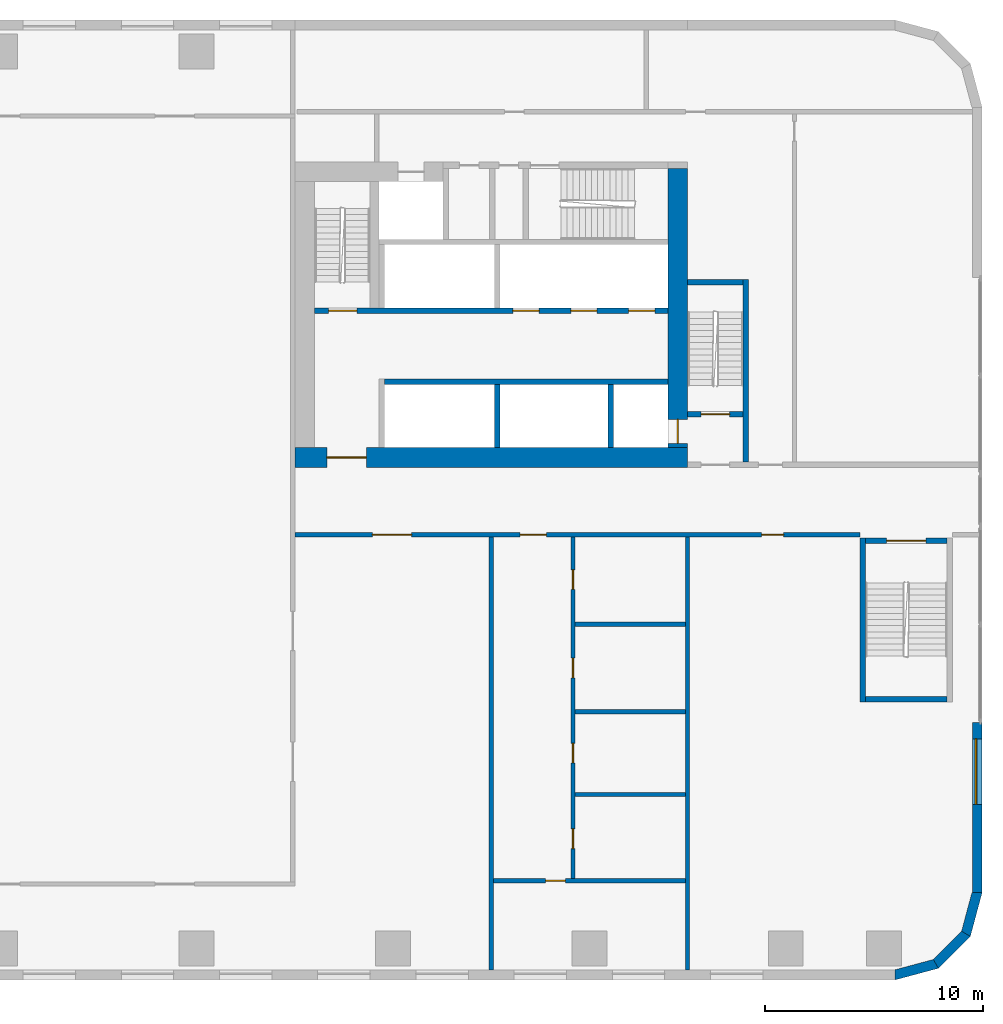
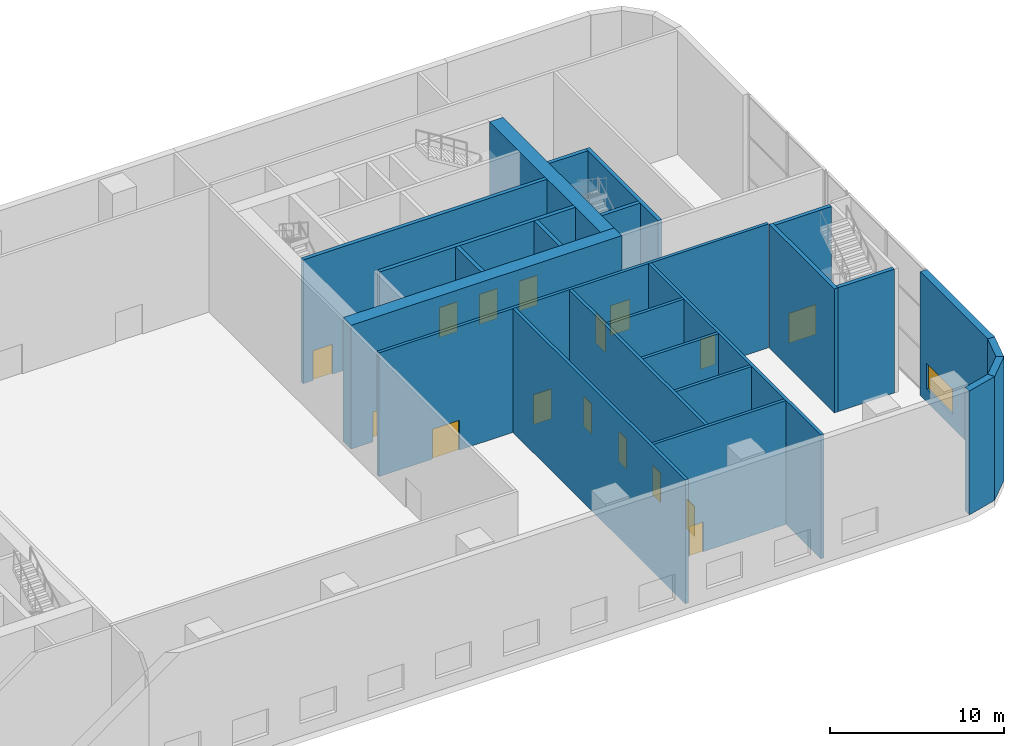
# One storey, part 10 of 24: 24 walls, 16 doors, 1 window, 17 openings.
"""IFC4 building model written with IfcOpenShell, lengths in metres."""

import ifcopenshell
import ifcopenshell.guid

model = None  # the IFC model being written
_history = None  # IfcOwnerHistory: only IFC2X3 demands one
_inside = {}  # id of a spatial element -> (the spatial element, [elements in it])
_under = {}  # id of a project, library or spatial element -> (it, [spatial elements below it])
_declared = {}  # id of a project -> (the project, [libraries it declares])
_typed = {}  # id of a type object -> (the type object, [elements of that type])
_made_of = {}  # id of a material, layer set ... -> (it, [elements and type objects made of it])


def new_model(schema):
    """Start an empty IFC model of exactly this schema.

    Asked for "IFC4X3", IfcOpenShell would pick the latest addendum, in which some entities
    have other attributes; the version numbers below select the first issue.
    IFC2X3 requires an IfcOwnerHistory on every rooted entity: one is made here for all.
    """
    global model, _history
    if schema == "IFC4X3":
        model = ifcopenshell.file(schema_version=(4, 3, 0, 0))
    else:
        model = ifcopenshell.file(schema=schema)
    _inside.clear()
    _under.clear()
    _declared.clear()
    _typed.clear()
    _made_of.clear()
    _history = None
    if model.schema == "IFC2X3":
        org = make("IfcOrganization", Name="unknown")
        user = make(
            "IfcPersonAndOrganization",
            ThePerson=make("IfcPerson", FamilyName="unknown"),
            TheOrganization=org,
        )
        app = make(
            "IfcApplication",
            ApplicationDeveloper=org,
            Version="unknown",
            ApplicationFullName="unknown",
            ApplicationIdentifier="unknown",
        )
        _history = make(
            "IfcOwnerHistory",
            OwningUser=user,
            OwningApplication=app,
            ChangeAction="ADDED",
            CreationDate=0,
        )
    return model


def make(cls, **values):
    """One entity of the class cls with the attributes given. An attribute that is None is left unset."""
    return model.create_entity(
        cls, **{name: value for name, value in values.items() if value is not None}
    )


def rooted(cls, **values):
    """An entity with a GlobalId (a new one), such as an element, a storey or a relation."""
    return make(cls, GlobalId=ifcopenshell.guid.new(), OwnerHistory=_history, **values)


def si_unit(unit_type, name, prefix=None):
    """IfcSIUnit, for example si_unit("LENGTHUNIT", "METRE", prefix="MILLI")."""
    return make("IfcSIUnit", UnitType=unit_type, Prefix=prefix, Name=name)


def assignment(units):
    """IfcUnitAssignment: the units of a project."""
    return None if units is None else make("IfcUnitAssignment", Units=units)


def point(xyz):
    """IfcCartesianPoint."""
    return None if xyz is None else make("IfcCartesianPoint", Coordinates=xyz)


def direction(xyz):
    """IfcDirection."""
    return None if xyz is None else make("IfcDirection", DirectionRatios=xyz)


def frame(location, z_axis=None, x_axis=None):
    """IfcAxis2Placement3D, a coordinate frame: its origin and axes. An axis left out is left unset."""
    return make(
        "IfcAxis2Placement3D",
        Location=point(location),
        Axis=direction(z_axis),
        RefDirection=direction(x_axis),
    )


def frame_2d(location, x_axis=None):
    """IfcAxis2Placement2D, a coordinate frame in the plane: its origin and x axis."""
    return make(
        "IfcAxis2Placement2D", Location=point(location), RefDirection=direction(x_axis)
    )


def origin():
    """The frame at (0, 0, 0) with its axes left unset."""
    return frame((0.0, 0.0, 0.0))


def place(relative_to, where):
    """IfcLocalPlacement: puts the frame where relative to a parent placement (None: the world)."""
    return make(
        "IfcLocalPlacement", PlacementRelTo=relative_to, RelativePlacement=where
    )


def context(
    kind, dimensions, precision=None, world=None, true_north=None, identifier=None
):
    """IfcGeometricRepresentationContext, for example the 3D "Model" context."""
    return make(
        "IfcGeometricRepresentationContext",
        ContextIdentifier=identifier,
        ContextType=kind,
        CoordinateSpaceDimension=dimensions,
        Precision=precision,
        WorldCoordinateSystem=world,
        TrueNorth=true_north,
    )


def subcontext(parent, identifier, kind, view, scale=None):
    """IfcGeometricRepresentationSubContext, for example "Body" below "Model"."""
    return make(
        "IfcGeometricRepresentationSubContext",
        ContextIdentifier=identifier,
        ContextType=kind,
        ParentContext=parent,
        TargetScale=scale,
        TargetView=view,
    )


def project(units=None, contexts=None):
    """IfcProject with its units and contexts."""
    return rooted(
        "IfcProject",
        Name="project",
        RepresentationContexts=contexts,
        UnitsInContext=assignment(units),
    )


def spatial(cls, under=None, at=None, **own):
    """A site, building, storey or space (cls), placed at a placement, below another one or the project."""
    s = rooted(cls, ObjectPlacement=at, **own)
    if under is not None:
        _under.setdefault(under.id(), (under, []))[1].append(s)
    return s


def polyline(points):
    """IfcPolyline through the points."""
    return make("IfcPolyline", Points=[point(p) for p in points])


def profile(cls, at=None, kind="AREA", **sizes):
    """A parametric profile (cls). Its sizes go by their IFC names, for example OverallWidth=200.0."""
    return make(cls, ProfileType=kind, Position=at, **sizes)


def rectangle(**sizes):
    """IfcRectangleProfileDef."""
    return profile("IfcRectangleProfileDef", **sizes)


def outline(outer, holes=None, kind="AREA"):
    """IfcArbitraryClosedProfileDef: a profile drawn as a closed curve; with holes, ...WithVoids."""
    if holes is None:
        return make("IfcArbitraryClosedProfileDef", ProfileType=kind, OuterCurve=outer)
    return make(
        "IfcArbitraryProfileDefWithVoids",
        ProfileType=kind,
        OuterCurve=outer,
        InnerCurves=holes,
    )


def extrude(swept, where, along, depth):
    """IfcExtrudedAreaSolid: the profile swept, set in the frame where, extruded along a direction by depth."""
    return make(
        "IfcExtrudedAreaSolid",
        SweptArea=swept,
        Position=where,
        ExtrudedDirection=direction(along),
        Depth=depth,
    )


def shape(context_of_items, identifier, shape_type, items):
    """IfcShapeRepresentation: the items that make up one representation, for example the "Body"."""
    return make(
        "IfcShapeRepresentation",
        ContextOfItems=context_of_items,
        RepresentationIdentifier=identifier,
        RepresentationType=shape_type,
        Items=items,
    )


def material(Name=None, Category=None):
    """IfcMaterial."""
    return make("IfcMaterial", Name=Name, Category=Category)


def layer(
    of_material, thickness, ventilated=None, Name=None, Category=None, Priority=None
):
    """IfcMaterialLayer: one layer of a wall or slab, of a material (None: an air gap)."""
    return make(
        "IfcMaterialLayer",
        Material=of_material,
        LayerThickness=thickness,
        IsVentilated=ventilated,
        Name=Name,
        Category=Category,
        Priority=Priority,
    )


def layer_set(layers, Name=None):
    """IfcMaterialLayerSet."""
    return make("IfcMaterialLayerSet", MaterialLayers=layers, LayerSetName=Name)


def made_of(thing, what):
    """Note that an element or type object is made of a material, layer set ...; save() writes the relation."""
    if what is not None:
        _made_of.setdefault(what.id(), (what, []))[1].append(thing)
    return thing


def type_object(cls, material=None, **own):
    """A type object (cls), such as IfcWallType, which elements share."""
    return made_of(rooted(cls, **own), material)


def element(
    cls,
    number,
    at=None,
    inside=None,
    cuts=None,
    type_object=None,
    material=None,
    context=None,
    identifier="Body",
    shape_type=None,
    held_by="IfcProductDefinitionShape",
    body=None,
    shapes=None,
    **own,
):
    """One element of the class cls, such as IfcWall. Its Tag is "e" and its number.

    at: its placement. inside: the storey or other place that contains it. cuts: it is an
    opening in that element (IfcRelVoidsElement). A single representation is given by context,
    identifier, shape_type and body (its items); several are given by shapes. held_by: the class
    of the entity that holds the representations. save() writes the other relations.
    """
    e = rooted(cls, Tag="e%d" % number, ObjectPlacement=at, **own)
    if body is not None:
        shapes = [shape(context, identifier, shape_type, body)]
    if shapes is not None:
        e.Representation = make(held_by, Representations=shapes)
    if inside is not None:
        _inside.setdefault(inside.id(), (inside, []))[1].append(e)
    if cuts is not None:
        rooted(
            "IfcRelVoidsElement", RelatingBuildingElement=cuts, RelatedOpeningElement=e
        )
    if type_object is not None:
        _typed.setdefault(type_object.id(), (type_object, []))[1].append(e)
    return made_of(e, material)


def fill(opening, filler):
    """IfcRelFillsElement: the door or window that sits in an opening."""
    return rooted(
        "IfcRelFillsElement",
        RelatingOpeningElement=opening,
        RelatedBuildingElement=filler,
    )


def aggregate(whole, parts):
    """IfcRelAggregates: a whole, such as a stair, and the parts it consists of."""
    return rooted("IfcRelAggregates", RelatingObject=whole, RelatedObjects=parts)


def save(model, path):
    """Write the relations noted so far, then the file.

    IfcRelAggregates (storeys below a building ...), IfcRelContainedInSpatialStructure (elements
    in a storey), IfcRelDefinesByType, IfcRelAssociatesMaterial and IfcRelDeclares: one each for
    every whole, place, type object, material and project.
    """
    for whole, parts in _under.values():
        aggregate(whole, parts)
    for where, things in _inside.values():
        rooted(
            "IfcRelContainedInSpatialStructure",
            RelatedElements=things,
            RelatingStructure=where,
        )
    for kind, things in _typed.values():
        rooted("IfcRelDefinesByType", RelatedObjects=things, RelatingType=kind)
    for what, things in _made_of.values():
        rooted("IfcRelAssociatesMaterial", RelatedObjects=things, RelatingMaterial=what)
    for by, libraries in _declared.values():
        rooted("IfcRelDeclares", RelatingContext=by, RelatedDefinitions=libraries)
    model.write(path)


model = new_model("IFC4")

# Units and contexts
model_context = context("Model", 3, precision=1e-05, world=origin(), true_north=direction((0.0, 1.0)))
body_context = subcontext(model_context, "Body", "Model", "MODEL_VIEW")
ifc_project = project(units=[si_unit("LENGTHUNIT", "METRE"), si_unit("AREAUNIT", "SQUARE_METRE"), si_unit("VOLUMEUNIT", "CUBIC_METRE"), si_unit("PLANEANGLEUNIT", "RADIAN"), si_unit("MASSUNIT", "GRAM", prefix="KILO")], contexts=[model_context])

# Site, building, storey
site_placement = place(None, origin())
site = spatial("IfcSite", under=ifc_project, at=site_placement, CompositionType="ELEMENT")
building_placement = place(site_placement, origin())
building = spatial("IfcBuilding", under=site, at=building_placement, Name="Kajstack Hotel Tower", CompositionType="ELEMENT")
storey_placement = place(building_placement, frame((0.0, 0.0, 38.0)))
storey = spatial("IfcBuildingStorey", under=building, at=storey_placement, Name="L06", CompositionType="ELEMENT", Elevation=38.0)

# Wall, opening, door
ifc_material_1 = material(Name="Concrete C60/75", Category="concrete")
ifc_layer_1 = layer(ifc_material_1, 0.89990234375)
ifc_layer_set_1 = layer_set([ifc_layer_1], Name="Core wall 900")
wall_type_1 = type_object("IfcWallType", Name="Core wall 900", PredefinedType="SHEAR", material=ifc_layer_set_1)
wall_1_placement = place(storey_placement, frame((13.5, 1.949951171875, 0.0), z_axis=(0.0, 0.0, 1.0), x_axis=(1.0, 0.0, 0.0)))
wall_1 = element("IfcWall", 1, at=wall_1_placement, inside=storey, type_object=wall_type_1, Name="Core wall E RN", PredefinedType="SHEAR", context=body_context, shape_type="SweptSolid", body=[
    extrude(rectangle(XDim=18.0, YDim=0.89990234375, at=frame_2d((9.0, 0.0))), origin(), (0.0, 0.0, 1.0), 8.699951171875),
])
opening_1_placement = place(wall_1_placement, frame((1.47509765625, 0.0, 0.0)))
opening_1 = element("IfcOpeningElement", 2, at=opening_1_placement, cuts=wall_1, Name="Opening 06E06", PredefinedType="OPENING", context=body_context, shape_type="SweptSolid", body=[
    extrude(rectangle(XDim=1.800048828125, YDim=2.10009765625, at=frame_2d((0.89990234375, 1.050048828125))), frame((0.0, 0.4599609375, 0.0), z_axis=(0.0, -1.0, 0.0), x_axis=(1.0, 0.0, 0.0)), (0.0, 0.0, 1.0), 0.919921875),
])
ifc_material_2 = material(Name="Glazed steel frame, fire-rated glass", Category="steel")
door_type_1 = type_object("IfcDoorType", Name="Lobby double door 1800", OperationType="DOUBLE_DOOR_DOUBLE_SWING", PredefinedType="DOOR", material=ifc_material_2)
door_1_placement = place(opening_1_placement, origin())
door_1 = element("IfcDoor", 3, at=door_1_placement, inside=storey, type_object=door_type_1, Name="Door 06E06", OperationType="DOUBLE_DOOR_DOUBLE_SWING", OverallHeight=2.10009765625, OverallWidth=1.800048828125, PredefinedType="DOOR", context=body_context, shape_type="SweptSolid", body=[
    extrude(rectangle(XDim=1.800048828125, YDim=2.10009765625, at=frame_2d((0.89990234375, 1.050048828125))), frame((0.0, 0.02490234375, 0.0), z_axis=(0.0, -1.0, 0.0), x_axis=(1.0, 0.0, 0.0)), (0.0, 0.0, 1.0), 0.050048828125),
])
fill(opening_1, door_1)

wall_2_placement = place(storey_placement, frame((31.050048828125, 2.39990234375, 0.0), z_axis=(0.0, 0.0, 1.0), x_axis=(0.0, 1.0, 0.0)))
wall_2 = element("IfcWall", 4, at=wall_2_placement, inside=storey, type_object=wall_type_1, Name="Core wall E RW", PredefinedType="SHEAR", context=body_context, shape_type="SweptSolid", body=[
    extrude(rectangle(XDim=12.800048828125, YDim=0.89990234375, at=frame_2d((6.39990234375, 0.0))), origin(), (0.0, 0.0, 1.0), 8.699951171875),
])
opening_2_placement = place(wall_2_placement, frame((0.199951171875, 0.0, 0.0)))
opening_2 = element("IfcOpeningElement", 5, at=opening_2_placement, cuts=wall_2, Name="Opening LD-FF2", PredefinedType="OPENING", context=body_context, shape_type="SweptSolid", body=[
    extrude(rectangle(XDim=1.10009765625, YDim=2.10009765625, at=frame_2d((0.550048828125, 1.050048828125))), frame((0.0, 0.4599609375, 0.0), z_axis=(0.0, -1.0, 0.0), x_axis=(1.0, 0.0, 0.0)), (0.0, 0.0, 1.0), 0.919921875),
])
ifc_material_3 = material(Name="Stainless steel", Category="steel")
door_type_2 = type_object("IfcDoorType", Name="Fire-fighting lift landing door 1100", OperationType="SLIDING_TO_LEFT", PredefinedType="DOOR", material=ifc_material_3)
door_2_placement = place(opening_2_placement, origin())
door_2 = element("IfcDoor", 6, at=door_2_placement, inside=storey, type_object=door_type_2, Name="Landing door FF2", OperationType="SLIDING_TO_LEFT", OverallHeight=2.10009765625, OverallWidth=1.10009765625, PredefinedType="DOOR", context=body_context, shape_type="SweptSolid", body=[
    extrude(rectangle(XDim=1.10009765625, YDim=2.10009765625, at=frame_2d((0.550048828125, 1.050048828125))), frame((0.0, 0.02490234375, 0.0), z_axis=(0.0, -1.0, 0.0), x_axis=(1.0, 0.0, 0.0)), (0.0, 0.0, 1.0), 0.050048828125),
])
fill(opening_2, door_2)

# Walls
ifc_material_4 = material(Name="Terracotta-faced brick masonry", Category="masonry")
ifc_layer_2 = layer(ifc_material_4, 0.449951171875)
ifc_layer_set_2 = layer_set([ifc_layer_2], Name="EW-TERRA")
wall_type_2 = type_object("IfcWallType", Name="EW-TERRA", PredefinedType="SOLIDWALL", material=ifc_layer_set_2)
wall_3_placement = place(storey_placement, frame((40.941650390625, -21.78271484375, 0.0), z_axis=(0.0, 0.0, 1.0), x_axis=(0.965926999034, 0.25881466832, 0.0)))
element("IfcWall", 7, at=wall_3_placement, inside=storey, type_object=wall_type_2, Name="E-wall-L06-04-00", PredefinedType="SOLIDWALL", context=body_context, shape_type="SweptSolid", body=[
    extrude(outline(polyline([(0.000244140625, -0.22509765625), (2.070556640625, -0.224853515625), (1.9501953125, 0.22509765625), (0.12060546875, 0.22509765625), (0.000244140625, -0.22509765625)])), origin(), (0.0, 0.0, 1.0), 8.699951171875),
])
wall_4_placement = place(storey_placement, frame((42.8408203125, -21.304931640625, 0.0), z_axis=(0.0, 0.0, 1.0), x_axis=(0.707106781187, 0.707106781187, 0.0)))
element("IfcWall", 8, at=wall_4_placement, inside=storey, type_object=wall_type_2, Name="E-wall-L06-05-00", PredefinedType="SOLIDWALL", context=body_context, shape_type="SweptSolid", body=[
    extrude(outline(polyline([(0.0, -0.22509765625), (2.070556640625, -0.22509765625), (1.949951171875, 0.224853515625), (0.12060546875, 0.224853515625), (0.0, -0.22509765625)])), origin(), (0.0, 0.0, 1.0), 8.699951171875),
])
wall_5_placement = place(storey_placement, frame((44.246826171875, -19.941650390625, 0.0), z_axis=(0.0, 0.0, 1.0), x_axis=(0.25881466832, 0.965926999034, 0.0)))
element("IfcWall", 9, at=wall_5_placement, inside=storey, type_object=wall_type_2, Name="E-wall-L06-06-00", PredefinedType="SOLIDWALL", context=body_context, shape_type="SweptSolid", body=[
    extrude(outline(polyline([(-0.000244140625, -0.224853515625), (2.0703125, -0.22509765625), (1.949951171875, 0.22509765625), (0.120361328125, 0.22509765625), (-0.000244140625, -0.224853515625)])), origin(), (0.0, 0.0, 1.0), 8.699951171875),
])

# Wall, opening, window
wall_6_placement = place(storey_placement, frame((44.77490234375, -18.0, 0.0), z_axis=(0.0, 0.0, 1.0), x_axis=(0.0, 1.0, 0.0)))
wall_6 = element("IfcWall", 10, at=wall_6_placement, inside=storey, type_object=wall_type_2, Name="E-wall-L06-07-00", PredefinedType="SOLIDWALL", context=body_context, shape_type="SweptSolid", body=[
    extrude(rectangle(XDim=7.800048828125, YDim=0.449951171875, at=frame_2d((3.89990234375, 0.0))), origin(), (0.0, 0.0, 1.0), 8.699951171875),
])
opening_3_placement = place(wall_6_placement, frame((4.050048828125, 0.0, 0.89990234375)))
opening_3 = element("IfcOpeningElement", 11, at=opening_3_placement, cuts=wall_6, Name="Opening W5", PredefinedType="OPENING", context=body_context, shape_type="SweptSolid", body=[
    extrude(rectangle(XDim=3.0, YDim=1.800048828125, at=frame_2d((1.5, 0.89990234375))), frame((0.0, 0.23486328125, 0.0), z_axis=(0.0, -1.0, 0.0), x_axis=(1.0, 0.0, 0.0)), (0.0, 0.0, 1.0), 0.469970703125),
])
ifc_material_5 = material(Name="Timber-aluminium window, triple glazed", Category="wood")
window_type = type_object("IfcWindowType", Name="WP2", PartitioningType="SINGLE_PANEL", PredefinedType="WINDOW", material=ifc_material_5)
window_placement = place(opening_3_placement, origin())
window = element("IfcWindow", 12, at=window_placement, inside=storey, type_object=window_type, Name="Window W5 L06-07", OverallHeight=1.800048828125, OverallWidth=3.0, PartitioningType="SINGLE_PANEL", PredefinedType="WINDOW", context=body_context, shape_type="SweptSolid", body=[
    extrude(rectangle(XDim=3.0, YDim=1.800048828125, at=frame_2d((1.5, 0.89990234375))), frame((0.0, 0.090087890625, 0.0), z_axis=(0.0, -1.0, 0.0), x_axis=(1.0, 0.0, 0.0)), (0.0, 0.0, 1.0), 0.06005859375),
])
fill(opening_3, window)

# Walls
ifc_material_6 = material(Name="Concrete C50/60", Category="concrete")
ifc_layer_3 = layer(ifc_material_6, 0.300048828125)
ifc_layer_set_3 = layer_set([ifc_layer_3], Name="Hoistway divider wall 300")
wall_type_3 = type_object("IfcWallType", Name="Hoistway divider wall 300", PredefinedType="SHEAR", material=ifc_layer_set_3)
wall_7_placement = place(storey_placement, frame((22.77490234375, 2.39990234375, 0.0), z_axis=(0.0, 0.0, 1.0), x_axis=(0.0, 1.0, 0.0)))
element("IfcWall", 13, at=wall_7_placement, inside=storey, type_object=wall_type_3, Name="Core wall E AP2", PredefinedType="SHEAR", context=body_context, shape_type="SweptSolid", body=[
    extrude(rectangle(XDim=2.900146484375, YDim=0.25, at=frame_2d((1.4501953125, 0.0))), origin(), (0.0, 0.0, 1.0), 8.699951171875),
])
ifc_material_7 = material(Name="Gypsum board on steel studs, mineral wool", Category="steel")
ifc_layer_4 = layer(ifc_material_7, 0.199951171875)
ifc_layer_set_4 = layer_set([ifc_layer_4], Name="Public partition 200")
wall_type_4 = type_object("IfcWallType", Name="Public partition 200", PredefinedType="PARTITIONING", material=ifc_layer_set_4)
wall_8_placement = place(storey_placement, frame((22.5, -21.550048828125, 0.0), z_axis=(0.0, 0.0, 1.0), x_axis=(0.0, 1.0, 0.0)))
element("IfcWall", 14, at=wall_8_placement, inside=storey, type_object=wall_type_4, Name="Partition SPX0", PredefinedType="PARTITIONING", context=body_context, shape_type="SweptSolid", body=[
    extrude(rectangle(XDim=19.85009765625, YDim=0.199951171875, at=frame_2d((9.925048828125, 0.0))), origin(), (0.0, 0.0, 1.0), 8.699951171875),
])

# Wall, openings, doors
wall_9_placement = place(storey_placement, frame((26.25, -17.35009765625, 0.0), z_axis=(0.0, 0.0, 1.0), x_axis=(0.0, 1.0, 0.0)))
wall_9 = element("IfcWall", 15, at=wall_9_placement, inside=storey, type_object=wall_type_4, Name="Partition SC1CW", PredefinedType="PARTITIONING", context=body_context, shape_type="SweptSolid", body=[
    extrude(rectangle(XDim=15.650146484375, YDim=0.199951171875, at=frame_2d((7.8251953125, 0.0))), origin(), (0.0, 0.0, 1.0), 8.699951171875),
])
opening_4_placement = place(wall_9_placement, frame((13.25, 0.0, 0.0)))
opening_4 = element("IfcOpeningElement", 16, at=opening_4_placement, cuts=wall_9, Name="Opening 06P11", PredefinedType="OPENING", context=body_context, shape_type="SweptSolid", body=[
    extrude(rectangle(XDim=0.89990234375, YDim=2.10009765625, at=frame_2d((0.449951171875, 1.050048828125))), frame((0.0, 0.10986328125, 0.0), z_axis=(0.0, -1.0, 0.0), x_axis=(1.0, 0.0, 0.0)), (0.0, 0.0, 1.0), 0.219970703125),
])
opening_5_placement = place(wall_9_placement, frame((9.199951171875, 0.0, 0.0)))
opening_5 = element("IfcOpeningElement", 17, at=opening_5_placement, cuts=wall_9, Name="Opening 06P12", PredefinedType="OPENING", context=body_context, shape_type="SweptSolid", body=[
    extrude(rectangle(XDim=0.89990234375, YDim=2.10009765625, at=frame_2d((0.449951171875, 1.050048828125))), frame((0.0, 0.10986328125, 0.0), z_axis=(0.0, -1.0, 0.0), x_axis=(1.0, 0.0, 0.0)), (0.0, 0.0, 1.0), 0.219970703125),
])
opening_6_placement = place(wall_9_placement, frame((5.300048828125, 0.0, 0.0)))
opening_6 = element("IfcOpeningElement", 18, at=opening_6_placement, cuts=wall_9, Name="Opening 06P13", PredefinedType="OPENING", context=body_context, shape_type="SweptSolid", body=[
    extrude(rectangle(XDim=0.89990234375, YDim=2.10009765625, at=frame_2d((0.449951171875, 1.050048828125))), frame((0.0, 0.10986328125, 0.0), z_axis=(0.0, -1.0, 0.0), x_axis=(1.0, 0.0, 0.0)), (0.0, 0.0, 1.0), 0.219970703125),
])
opening_7_placement = place(wall_9_placement, frame((1.375, 0.0, 0.0)))
opening_7 = element("IfcOpeningElement", 19, at=opening_7_placement, cuts=wall_9, Name="Opening 06P14", PredefinedType="OPENING", context=body_context, shape_type="SweptSolid", body=[
    extrude(rectangle(XDim=0.89990234375, YDim=2.10009765625, at=frame_2d((0.449951171875, 1.050048828125))), frame((0.0, 0.10986328125, 0.0), z_axis=(0.0, -1.0, 0.0), x_axis=(1.0, 0.0, 0.0)), (0.0, 0.0, 1.0), 0.219970703125),
])
ifc_material_8 = material(Name="Timber leaf", Category="wood")
door_type_3 = type_object("IfcDoorType", Name="Public room door 900", OperationType="SINGLE_SWING_LEFT", PredefinedType="DOOR", material=ifc_material_8)
door_3_placement = place(opening_4_placement, origin())
door_3 = element("IfcDoor", 20, at=door_3_placement, inside=storey, type_object=door_type_3, Name="Door 06P11", OperationType="SINGLE_SWING_RIGHT", OverallHeight=2.10009765625, OverallWidth=0.89990234375, PredefinedType="DOOR", context=body_context, shape_type="SweptSolid", body=[
    extrude(rectangle(XDim=0.89990234375, YDim=2.10009765625, at=frame_2d((0.449951171875, 1.050048828125))), frame((0.0, 0.02490234375, 0.0), z_axis=(0.0, -1.0, 0.0), x_axis=(1.0, 0.0, 0.0)), (0.0, 0.0, 1.0), 0.050048828125),
])
fill(opening_4, door_3)
door_4_placement = place(opening_5_placement, origin())
door_4 = element("IfcDoor", 21, at=door_4_placement, inside=storey, type_object=door_type_3, Name="Door 06P12", OperationType="SINGLE_SWING_RIGHT", OverallHeight=2.10009765625, OverallWidth=0.89990234375, PredefinedType="DOOR", context=body_context, shape_type="SweptSolid", body=[
    extrude(rectangle(XDim=0.89990234375, YDim=2.10009765625, at=frame_2d((0.449951171875, 1.050048828125))), frame((0.0, 0.02490234375, 0.0), z_axis=(0.0, -1.0, 0.0), x_axis=(1.0, 0.0, 0.0)), (0.0, 0.0, 1.0), 0.050048828125),
])
fill(opening_5, door_4)
door_5_placement = place(opening_6_placement, origin())
door_5 = element("IfcDoor", 22, at=door_5_placement, inside=storey, type_object=door_type_3, Name="Door 06P13", OperationType="SINGLE_SWING_RIGHT", OverallHeight=2.10009765625, OverallWidth=0.89990234375, PredefinedType="DOOR", context=body_context, shape_type="SweptSolid", body=[
    extrude(rectangle(XDim=0.89990234375, YDim=2.10009765625, at=frame_2d((0.449951171875, 1.050048828125))), frame((0.0, 0.02490234375, 0.0), z_axis=(0.0, -1.0, 0.0), x_axis=(1.0, 0.0, 0.0)), (0.0, 0.0, 1.0), 0.050048828125),
])
fill(opening_6, door_5)
door_6_placement = place(opening_7_placement, origin())
door_6 = element("IfcDoor", 23, at=door_6_placement, inside=storey, type_object=door_type_3, Name="Door 06P14", OperationType="SINGLE_SWING_RIGHT", OverallHeight=2.10009765625, OverallWidth=0.89990234375, PredefinedType="DOOR", context=body_context, shape_type="SweptSolid", body=[
    extrude(rectangle(XDim=0.89990234375, YDim=2.10009765625, at=frame_2d((0.449951171875, 1.050048828125))), frame((0.0, 0.02490234375, 0.0), z_axis=(0.0, -1.0, 0.0), x_axis=(1.0, 0.0, 0.0)), (0.0, 0.0, 1.0), 0.050048828125),
])
fill(opening_7, door_6)

# Walls
for number, where, z_axis, x_axis, name in (
    (24, (26.35009765625, -5.699951171875, 0.0), (0.0, 0.0, 1.0), (1.0, 0.0, 0.0), "Partition SC1wP0"),
    (25, (26.35009765625, -9.699951171875, 0.0), (0.0, 0.0, 1.0), (1.0, 0.0, 0.0), "Partition SC1wP1"),
    (26, (26.35009765625, -13.5, 0.0), (0.0, 0.0, 1.0), (1.0, 0.0, 0.0), "Partition SC1wP2"),
):
    element("IfcWall", number, at=place(storey_placement, frame(where, z_axis=z_axis, x_axis=x_axis)), inside=storey, type_object=wall_type_4, Name=name, PredefinedType="PARTITIONING", context=body_context, shape_type="SweptSolid", body=[
        extrude(rectangle(XDim=5.0498046875, YDim=0.199951171875, at=frame_2d((2.52490234375, 0.0))), origin(), (0.0, 0.0, 1.0), 8.699951171875),
    ])

# Wall, opening, door
wall_10_placement = place(storey_placement, frame((22.60009765625, -17.449951171875, 0.0), z_axis=(0.0, 0.0, 1.0), x_axis=(1.0, 0.0, 0.0)))
wall_10 = element("IfcWall", 27, at=wall_10_placement, inside=storey, type_object=wall_type_4, Name="Partition SC1BW", PredefinedType="PARTITIONING", context=body_context, shape_type="SweptSolid", body=[
    extrude(rectangle(XDim=8.7998046875, YDim=0.199951171875, at=frame_2d((4.39990234375, 0.0))), origin(), (0.0, 0.0, 1.0), 8.699951171875),
])
opening_8_placement = place(wall_10_placement, frame((2.39990234375, 0.0, 0.0)))
opening_8 = element("IfcOpeningElement", 28, at=opening_8_placement, cuts=wall_10, Name="Opening 06P15", PredefinedType="OPENING", context=body_context, shape_type="SweptSolid", body=[
    extrude(rectangle(XDim=0.89990234375, YDim=2.10009765625, at=frame_2d((0.449951171875, 1.050048828125))), frame((0.0, 0.10986328125, 0.0), z_axis=(0.0, -1.0, 0.0), x_axis=(1.0, 0.0, 0.0)), (0.0, 0.0, 1.0), 0.219970703125),
])
door_7_placement = place(opening_8_placement, origin())
door_7 = element("IfcDoor", 29, at=door_7_placement, inside=storey, type_object=door_type_3, Name="Door 06P15", OperationType="SINGLE_SWING_RIGHT", OverallHeight=2.10009765625, OverallWidth=0.89990234375, PredefinedType="DOOR", context=body_context, shape_type="SweptSolid", body=[
    extrude(rectangle(XDim=0.89990234375, YDim=2.10009765625, at=frame_2d((0.449951171875, 1.050048828125))), frame((0.0, 0.02490234375, 0.0), z_axis=(0.0, -1.0, 0.0), x_axis=(1.0, 0.0, 0.0)), (0.0, 0.0, 1.0), 0.050048828125),
])
fill(opening_8, door_7)

# Wall
wall_11_placement = place(storey_placement, frame((31.5, -21.550048828125, 0.0), z_axis=(0.0, 0.0, 1.0), x_axis=(0.0, 1.0, 0.0)))
element("IfcWall", 30, at=wall_11_placement, inside=storey, type_object=wall_type_4, Name="Partition SPX1", PredefinedType="PARTITIONING", context=body_context, shape_type="SweptSolid", body=[
    extrude(rectangle(XDim=19.85009765625, YDim=0.199951171875, at=frame_2d((9.925048828125, 0.0))), origin(), (0.0, 0.0, 1.0), 8.699951171875),
])

# Wall, openings, doors
wall_12_placement = place(storey_placement, frame((13.5, -1.60009765625, 0.0), z_axis=(0.0, 0.0, 1.0), x_axis=(1.0, 0.0, 0.0)))
wall_12 = element("IfcWall", 31, at=wall_12_placement, inside=storey, type_object=wall_type_4, Name="Partition SFW", PredefinedType="PARTITIONING", context=body_context, shape_type="SweptSolid", body=[
    extrude(rectangle(XDim=25.89990234375, YDim=0.199951171875, at=frame_2d((12.949951171875, 0.0))), origin(), (0.0, 0.0, 1.0), 8.699951171875),
])
opening_9_placement = place(wall_12_placement, frame((3.550048828125, 0.0, 0.0)))
opening_9 = element("IfcOpeningElement", 32, at=opening_9_placement, cuts=wall_12, Name="Opening 06P09", PredefinedType="OPENING", context=body_context, shape_type="SweptSolid", body=[
    extrude(rectangle(XDim=1.800048828125, YDim=2.10009765625, at=frame_2d((0.89990234375, 1.050048828125))), frame((0.0, 0.10986328125, 0.0), z_axis=(0.0, -1.0, 0.0), x_axis=(1.0, 0.0, 0.0)), (0.0, 0.0, 1.0), 0.219970703125),
])
opening_10_placement = place(wall_12_placement, frame((10.324951171875, 0.0, 0.0)))
opening_10 = element("IfcOpeningElement", 33, at=opening_10_placement, cuts=wall_12, Name="Opening 06P10", PredefinedType="OPENING", context=body_context, shape_type="SweptSolid", body=[
    extrude(rectangle(XDim=1.199951171875, YDim=2.10009765625, at=frame_2d((0.60009765625, 1.050048828125))), frame((0.0, 0.10986328125, 0.0), z_axis=(0.0, -1.0, 0.0), x_axis=(1.0, 0.0, 0.0)), (0.0, 0.0, 1.0), 0.219970703125),
])
opening_11_placement = place(wall_12_placement, frame((21.39990234375, 0.0, 0.0)))
opening_11 = element("IfcOpeningElement", 34, at=opening_11_placement, cuts=wall_12, Name="Opening 06P16", PredefinedType="OPENING", context=body_context, shape_type="SweptSolid", body=[
    extrude(rectangle(XDim=1.0, YDim=2.10009765625, at=frame_2d((0.5, 1.050048828125))), frame((0.0, 0.10986328125, 0.0), z_axis=(0.0, -1.0, 0.0), x_axis=(1.0, 0.0, 0.0)), (0.0, 0.0, 1.0), 0.219970703125),
])
ifc_material_9 = material(Name="Timber leaf, fire-rated", Category="wood")
door_type_4 = type_object("IfcDoorType", Name="Public corridor door 1200", OperationType="SINGLE_SWING_LEFT", PredefinedType="DOOR", material=ifc_material_9)
door_8_placement = place(opening_10_placement, origin())
door_8 = element("IfcDoor", 35, at=door_8_placement, inside=storey, type_object=door_type_4, Name="Door 06P10", OperationType="SINGLE_SWING_RIGHT", OverallHeight=2.10009765625, OverallWidth=1.199951171875, PredefinedType="DOOR", context=body_context, shape_type="SweptSolid", body=[
    extrude(rectangle(XDim=1.199951171875, YDim=2.10009765625, at=frame_2d((0.60009765625, 1.050048828125))), frame((0.0, 0.02490234375, 0.0), z_axis=(0.0, -1.0, 0.0), x_axis=(1.0, 0.0, 0.0)), (0.0, 0.0, 1.0), 0.050048828125),
])
fill(opening_10, door_8)
ifc_material_10 = material(Name="Glazed timber frame, fire-rated glass", Category="wood")
door_type_5 = type_object("IfcDoorType", Name="Public double door 1800", OperationType="DOUBLE_DOOR_DOUBLE_SWING", PredefinedType="DOOR", material=ifc_material_10)
door_9_placement = place(opening_9_placement, origin())
door_9 = element("IfcDoor", 36, at=door_9_placement, inside=storey, type_object=door_type_5, Name="Door 06P09", OperationType="DOUBLE_DOOR_DOUBLE_SWING", OverallHeight=2.10009765625, OverallWidth=1.800048828125, PredefinedType="DOOR", context=body_context, shape_type="SweptSolid", body=[
    extrude(rectangle(XDim=1.800048828125, YDim=2.10009765625, at=frame_2d((0.89990234375, 1.050048828125))), frame((0.0, 0.02490234375, 0.0), z_axis=(0.0, -1.0, 0.0), x_axis=(1.0, 0.0, 0.0)), (0.0, 0.0, 1.0), 0.050048828125),
])
fill(opening_9, door_9)
door_type_6 = type_object("IfcDoorType", Name="Public room door 1000", OperationType="SINGLE_SWING_LEFT", PredefinedType="DOOR", material=ifc_material_8)
door_10_placement = place(opening_11_placement, origin())
door_10 = element("IfcDoor", 37, at=door_10_placement, inside=storey, type_object=door_type_6, Name="Door 06P16", OperationType="SINGLE_SWING_RIGHT", OverallHeight=2.10009765625, OverallWidth=1.0, PredefinedType="DOOR", context=body_context, shape_type="SweptSolid", body=[
    extrude(rectangle(XDim=1.0, YDim=2.10009765625, at=frame_2d((0.5, 1.050048828125))), frame((0.0, 0.02490234375, 0.0), z_axis=(0.0, -1.0, 0.0), x_axis=(1.0, 0.0, 0.0)), (0.0, 0.0, 1.0), 0.050048828125),
])
fill(opening_11, door_10)

# Walls
ifc_layer_5 = layer(ifc_material_6, 0.25)
ifc_layer_set_5 = layer_set([ifc_layer_5], Name="Shaft wall 250")
wall_type_5 = type_object("IfcWallType", Name="Shaft wall 250", PredefinedType="SHEAR", material=ifc_layer_set_5)
wall_13_placement = place(storey_placement, frame((17.60009765625, 5.425048828125, 0.0), z_axis=(0.0, 0.0, 1.0), x_axis=(1.0, 0.0, 0.0)))
element("IfcWall", 38, at=wall_13_placement, inside=storey, type_object=wall_type_5, Name="Core wall E FA", PredefinedType="SHEAR", context=body_context, shape_type="SweptSolid", body=[
    extrude(rectangle(XDim=13.0, YDim=0.25, at=frame_2d((6.5, 0.0))), origin(), (0.0, 0.0, 1.0), 8.699951171875),
])
wall_14_placement = place(storey_placement, frame((27.97509765625, 2.39990234375, 0.0), z_axis=(0.0, 0.0, 1.0), x_axis=(0.0, 1.0, 0.0)))
element("IfcWall", 39, at=wall_14_placement, inside=storey, type_object=wall_type_5, Name="Core wall E AP0", PredefinedType="SHEAR", context=body_context, shape_type="SweptSolid", body=[
    extrude(rectangle(XDim=2.900146484375, YDim=0.25, at=frame_2d((1.4501953125, 0.0))), origin(), (0.0, 0.0, 1.0), 8.699951171875),
])

# Wall, openings, doors
wall_15_placement = place(storey_placement, frame((14.39990234375, 8.675048828125, 0.0), z_axis=(0.0, 0.0, 1.0), x_axis=(1.0, 0.0, 0.0)))
wall_15 = element("IfcWall", 40, at=wall_15_placement, inside=storey, type_object=wall_type_5, Name="Core wall E FB", PredefinedType="SHEAR", context=body_context, shape_type="SweptSolid", body=[
    extrude(rectangle(XDim=16.2001953125, YDim=0.25, at=frame_2d((8.10009765625, 0.0))), origin(), (0.0, 0.0, 1.0), 8.699951171875),
])
opening_12_placement = place(wall_15_placement, frame((14.39990234375, 0.0, 0.0)))
opening_12 = element("IfcOpeningElement", 41, at=opening_12_placement, cuts=wall_15, Name="Opening LD-LR4", PredefinedType="OPENING", context=body_context, shape_type="SweptSolid", body=[
    extrude(rectangle(XDim=1.199951171875, YDim=2.10009765625, at=frame_2d((0.60009765625, 1.050048828125))), frame((0.0, 0.135009765625, 0.0), z_axis=(0.0, -1.0, 0.0), x_axis=(1.0, 0.0, 0.0)), (0.0, 0.0, 1.0), 0.27001953125),
])
opening_13_placement = place(wall_15_placement, frame((11.75, 0.0, 0.0)))
opening_13 = element("IfcOpeningElement", 42, at=opening_13_placement, cuts=wall_15, Name="Opening LD-LR5", PredefinedType="OPENING", context=body_context, shape_type="SweptSolid", body=[
    extrude(rectangle(XDim=1.199951171875, YDim=2.10009765625, at=frame_2d((0.60009765625, 1.050048828125))), frame((0.0, 0.135009765625, 0.0), z_axis=(0.0, -1.0, 0.0), x_axis=(1.0, 0.0, 0.0)), (0.0, 0.0, 1.0), 0.27001953125),
])
opening_14_placement = place(wall_15_placement, frame((9.10009765625, 0.0, 0.0)))
opening_14 = element("IfcOpeningElement", 43, at=opening_14_placement, cuts=wall_15, Name="Opening LD-LR6", PredefinedType="OPENING", context=body_context, shape_type="SweptSolid", body=[
    extrude(rectangle(XDim=1.199951171875, YDim=2.10009765625, at=frame_2d((0.60009765625, 1.050048828125))), frame((0.0, 0.135009765625, 0.0), z_axis=(0.0, -1.0, 0.0), x_axis=(1.0, 0.0, 0.0)), (0.0, 0.0, 1.0), 0.27001953125),
])
opening_15_placement = place(wall_15_placement, frame((0.64990234375, 0.0, 0.0)))
opening_15 = element("IfcOpeningElement", 44, at=opening_15_placement, cuts=wall_15, Name="Opening 06E10", PredefinedType="OPENING", context=body_context, shape_type="SweptSolid", body=[
    extrude(rectangle(XDim=1.300048828125, YDim=2.10009765625, at=frame_2d((0.64990234375, 1.050048828125))), frame((0.0, 0.135009765625, 0.0), z_axis=(0.0, -1.0, 0.0), x_axis=(1.0, 0.0, 0.0)), (0.0, 0.0, 1.0), 0.27001953125),
])
door_type_7 = type_object("IfcDoorType", Name="Lift landing door 1200", OperationType="SLIDING_TO_LEFT", PredefinedType="DOOR", material=ifc_material_3)
door_11_placement = place(opening_12_placement, origin())
door_11 = element("IfcDoor", 45, at=door_11_placement, inside=storey, type_object=door_type_7, Name="Landing door LR4", OperationType="SLIDING_TO_LEFT", OverallHeight=2.10009765625, OverallWidth=1.199951171875, PredefinedType="DOOR", context=body_context, shape_type="SweptSolid", body=[
    extrude(rectangle(XDim=1.199951171875, YDim=2.10009765625, at=frame_2d((0.60009765625, 1.050048828125))), frame((0.0, 0.02490234375, 0.0), z_axis=(0.0, -1.0, 0.0), x_axis=(1.0, 0.0, 0.0)), (0.0, 0.0, 1.0), 0.050048828125),
])
fill(opening_12, door_11)
door_12_placement = place(opening_13_placement, origin())
door_12 = element("IfcDoor", 46, at=door_12_placement, inside=storey, type_object=door_type_7, Name="Landing door LR5", OperationType="SLIDING_TO_RIGHT", OverallHeight=2.10009765625, OverallWidth=1.199951171875, PredefinedType="DOOR", context=body_context, shape_type="SweptSolid", body=[
    extrude(rectangle(XDim=1.199951171875, YDim=2.10009765625, at=frame_2d((0.60009765625, 1.050048828125))), frame((0.0, 0.02490234375, 0.0), z_axis=(0.0, -1.0, 0.0), x_axis=(1.0, 0.0, 0.0)), (0.0, 0.0, 1.0), 0.050048828125),
])
fill(opening_13, door_12)
door_13_placement = place(opening_14_placement, origin())
door_13 = element("IfcDoor", 47, at=door_13_placement, inside=storey, type_object=door_type_7, Name="Landing door LR6", OperationType="SLIDING_TO_RIGHT", OverallHeight=2.10009765625, OverallWidth=1.199951171875, PredefinedType="DOOR", context=body_context, shape_type="SweptSolid", body=[
    extrude(rectangle(XDim=1.199951171875, YDim=2.10009765625, at=frame_2d((0.60009765625, 1.050048828125))), frame((0.0, 0.02490234375, 0.0), z_axis=(0.0, -1.0, 0.0), x_axis=(1.0, 0.0, 0.0)), (0.0, 0.0, 1.0), 0.050048828125),
])
fill(opening_14, door_13)
ifc_material_11 = material(Name="Steel leaf, fire-rated", Category="steel")
door_type_8 = type_object("IfcDoorType", Name="Stair door 1300", OperationType="SINGLE_SWING_LEFT", PredefinedType="DOOR", material=ifc_material_11)
door_14_placement = place(opening_15_placement, origin())
door_14 = element("IfcDoor", 48, at=door_14_placement, inside=storey, type_object=door_type_8, Name="Door 06E10", OperationType="SINGLE_SWING_LEFT", OverallHeight=2.10009765625, OverallWidth=1.300048828125, PredefinedType="DOOR", context=body_context, shape_type="SweptSolid", body=[
    extrude(rectangle(XDim=1.300048828125, YDim=2.10009765625, at=frame_2d((0.64990234375, 1.050048828125))), frame((0.0, 0.02490234375, 0.0), z_axis=(0.0, -1.0, 0.0), x_axis=(1.0, 0.0, 0.0)), (0.0, 0.0, 1.0), 0.050048828125),
])
fill(opening_15, door_14)

# Wall, opening, door
ifc_material_12 = material(Name="Concrete C40/50", Category="concrete")
ifc_layer_6 = layer(ifc_material_12, 0.25)
ifc_layer_set_6 = layer_set([ifc_layer_6], Name="Stair enclosure wall 250")
wall_type_6 = type_object("IfcWallType", Name="Stair enclosure wall 250", PredefinedType="SHEAR", material=ifc_layer_set_6)
wall_16_placement = place(storey_placement, frame((31.5, 3.925048828125, 0.0), z_axis=(0.0, 0.0, 1.0), x_axis=(1.0, 0.0, 0.0)))
wall_16 = element("IfcWall", 49, at=wall_16_placement, inside=storey, type_object=wall_type_6, Name="Core wall E W1N", PredefinedType="SHEAR", context=body_context, shape_type="SweptSolid", body=[
    extrude(rectangle(XDim=2.550048828125, YDim=0.25, at=frame_2d((1.27490234375, 0.0))), origin(), (0.0, 0.0, 1.0), 8.699951171875),
])
opening_16_placement = place(wall_16_placement, frame((0.625, 0.0, 0.0)))
opening_16 = element("IfcOpeningElement", 50, at=opening_16_placement, cuts=wall_16, Name="Opening 06E08", PredefinedType="OPENING", context=body_context, shape_type="SweptSolid", body=[
    extrude(rectangle(XDim=1.300048828125, YDim=2.10009765625, at=frame_2d((0.64990234375, 1.050048828125))), frame((0.0, 0.135009765625, 0.0), z_axis=(0.0, -1.0, 0.0), x_axis=(1.0, 0.0, 0.0)), (0.0, 0.0, 1.0), 0.27001953125),
])
door_15_placement = place(opening_16_placement, origin())
door_15 = element("IfcDoor", 51, at=door_15_placement, inside=storey, type_object=door_type_8, Name="Door 06E08", OperationType="SINGLE_SWING_LEFT", OverallHeight=2.10009765625, OverallWidth=1.300048828125, PredefinedType="DOOR", context=body_context, shape_type="SweptSolid", body=[
    extrude(rectangle(XDim=1.300048828125, YDim=2.10009765625, at=frame_2d((0.64990234375, 1.050048828125))), frame((0.0, 0.02490234375, 0.0), z_axis=(0.0, -1.0, 0.0), x_axis=(1.0, 0.0, 0.0)), (0.0, 0.0, 1.0), 0.050048828125),
])
fill(opening_16, door_15)

# Walls
wall_17_placement = place(storey_placement, frame((34.175048828125, 1.75, 0.0), z_axis=(0.0, 0.0, 1.0), x_axis=(0.0, 1.0, 0.0)))
element("IfcWall", 52, at=wall_17_placement, inside=storey, type_object=wall_type_6, Name="Core wall E W1W", PredefinedType="SHEAR", context=body_context, shape_type="SweptSolid", body=[
    extrude(rectangle(XDim=8.35009765625, YDim=0.25, at=frame_2d((4.175048828125, 0.0))), origin(), (0.0, 0.0, 1.0), 8.699951171875),
])
wall_18_placement = place(storey_placement, frame((31.5, 9.97509765625, 0.0), z_axis=(0.0, 0.0, 1.0), x_axis=(1.0, 0.0, 0.0)))
element("IfcWall", 53, at=wall_18_placement, inside=storey, type_object=wall_type_6, Name="Core wall E W1S", PredefinedType="SHEAR", context=body_context, shape_type="SweptSolid", body=[
    extrude(rectangle(XDim=2.550048828125, YDim=0.25, at=frame_2d((1.27490234375, 0.0))), origin(), (0.0, 0.0, 1.0), 8.699951171875),
])
wall_19_placement = place(storey_placement, frame((39.52490234375, -9.25, 0.0), z_axis=(0.0, 0.0, 1.0), x_axis=(0.0, 1.0, 0.0)))
element("IfcWall", 54, at=wall_19_placement, inside=storey, type_object=wall_type_6, Name="Stair wall P2 W", PredefinedType="SHEAR", context=body_context, shape_type="SweptSolid", body=[
    extrude(rectangle(XDim=7.5, YDim=0.25, at=frame_2d((3.75, 0.0))), origin(), (0.0, 0.0, 1.0), 8.699951171875),
])
wall_20_placement = place(storey_placement, frame((39.64990234375, -9.125, 0.0), z_axis=(0.0, 0.0, 1.0), x_axis=(1.0, 0.0, 0.0)))
element("IfcWall", 55, at=wall_20_placement, inside=storey, type_object=wall_type_6, Name="Stair wall P2 F", PredefinedType="SHEAR", context=body_context, shape_type="SweptSolid", body=[
    extrude(rectangle(XDim=3.75, YDim=0.25, at=frame_2d((1.875, 0.0))), origin(), (0.0, 0.0, 1.0), 8.699951171875),
])

# Wall, opening, door
wall_21_placement = place(storey_placement, frame((39.64990234375, -1.875, 0.0), z_axis=(0.0, 0.0, 1.0), x_axis=(1.0, 0.0, 0.0)))
wall_21 = element("IfcWall", 56, at=wall_21_placement, inside=storey, type_object=wall_type_6, Name="Stair wall P2 N", PredefinedType="SHEAR", context=body_context, shape_type="SweptSolid", body=[
    extrude(rectangle(XDim=3.75, YDim=0.25, at=frame_2d((1.875, 0.0))), origin(), (0.0, 0.0, 1.0), 8.699951171875),
])
opening_17_placement = place(wall_21_placement, frame((0.97509765625, 0.0, 0.0)))
opening_17 = element("IfcOpeningElement", 57, at=opening_17_placement, cuts=wall_21, Name="Opening 06P2", PredefinedType="OPENING", context=body_context, shape_type="SweptSolid", body=[
    extrude(rectangle(XDim=1.800048828125, YDim=2.10009765625, at=frame_2d((0.89990234375, 1.050048828125))), frame((0.0, 0.135009765625, 0.0), z_axis=(0.0, -1.0, 0.0), x_axis=(1.0, 0.0, 0.0)), (0.0, 0.0, 1.0), 0.27001953125),
])
door_type_9 = type_object("IfcDoorType", Name="Stair door 1800", OperationType="DOUBLE_DOOR_DOUBLE_SWING", PredefinedType="DOOR", material=ifc_material_11)
door_16_placement = place(opening_17_placement, origin())
door_16 = element("IfcDoor", 58, at=door_16_placement, inside=storey, type_object=door_type_9, Name="Door 06P2", OperationType="DOUBLE_DOOR_DOUBLE_SWING", OverallHeight=2.10009765625, OverallWidth=1.800048828125, PredefinedType="DOOR", context=body_context, shape_type="SweptSolid", body=[
    extrude(rectangle(XDim=1.800048828125, YDim=2.10009765625, at=frame_2d((0.89990234375, 1.050048828125))), frame((0.0, 0.02490234375, 0.0), z_axis=(0.0, -1.0, 0.0), x_axis=(1.0, 0.0, 0.0)), (0.0, 0.0, 1.0), 0.050048828125),
])
fill(opening_17, door_16)

save(model, "model.ifc")
